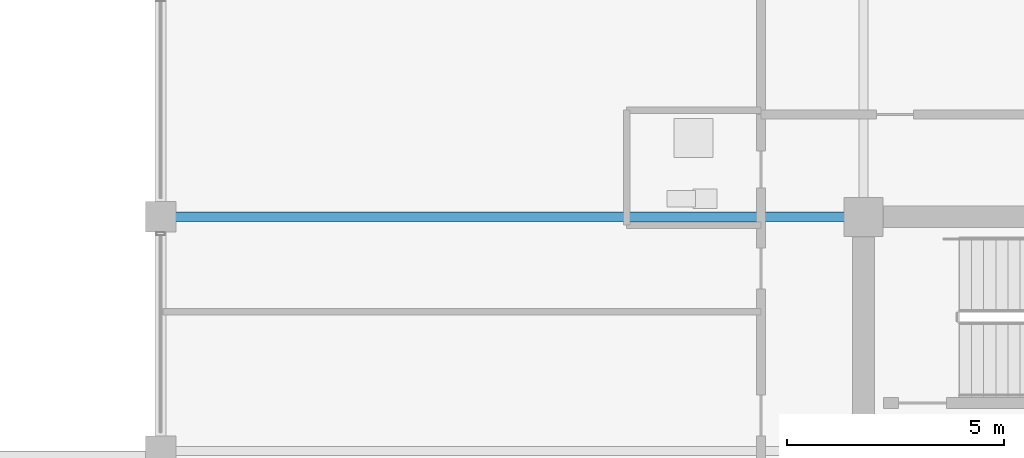
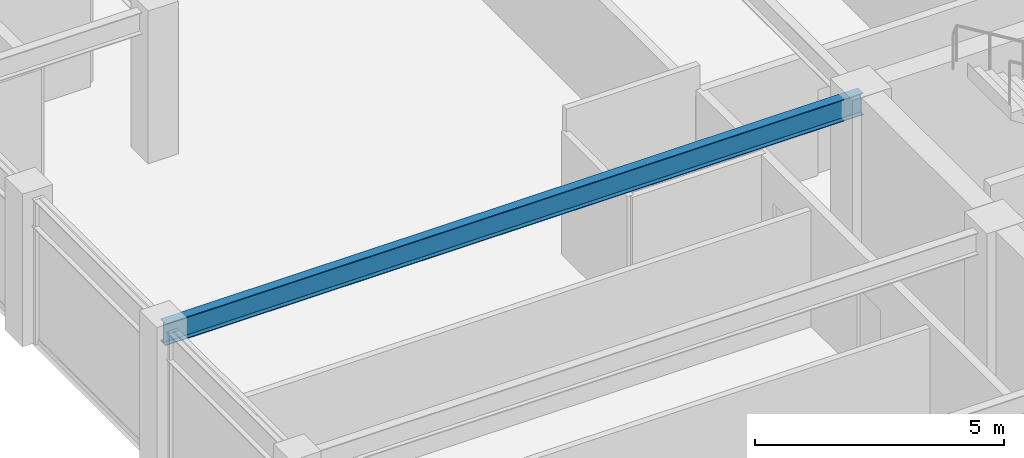
# One storey, part 13 of 29: 1 beam.
"""IFC4 building model written with IfcOpenShell, lengths in metres."""

from ifc_helpers import new_model, si_unit, direction, frame, origin, origin_2d, place, context, subcontext, project, spatial, i_section, extrude, material, material_profile, profile_set, type_object, element, save


model = new_model("IFC4")

# Units and contexts
model_context = context("Model", 3, precision=1e-05, world=origin(), true_north=direction((0.0, 1.0)))
body_context = subcontext(model_context, "Body", "Model", "MODEL_VIEW")
ifc_project = project(units=[si_unit("LENGTHUNIT", "METRE"), si_unit("AREAUNIT", "SQUARE_METRE"), si_unit("VOLUMEUNIT", "CUBIC_METRE"), si_unit("PLANEANGLEUNIT", "RADIAN"), si_unit("MASSUNIT", "GRAM", prefix="KILO")], contexts=[model_context])

# Site, building, storey
site_placement = place(None, origin())
site = spatial("IfcSite", under=ifc_project, at=site_placement, CompositionType="ELEMENT")
building_placement = place(site_placement, origin())
building = spatial("IfcBuilding", under=site, at=building_placement, Name="Surkhivell Harbour Commons", CompositionType="ELEMENT")
storey_placement = place(building_placement, frame((0.0, 0.0, 326.25)))
storey = spatial("IfcBuildingStorey", under=building, at=storey_placement, Name="L85", CompositionType="ELEMENT", Elevation=326.25)

# Beam
ifc_material = material(Name="Steel S355", Category="steel")
ifc_material_profile = material_profile(ifc_material, i_section(OverallWidth=0.2099609375, OverallDepth=0.537109375, WebThickness=0.0107421875, FlangeThickness=0.017333984375, at=origin_2d()), Name="UB533x210x101")
ifc_profile_set = profile_set([ifc_material_profile], Name="Steel S355")
beam_type = type_object("IfcBeamType", Name="BM-GRD-533B", PredefinedType="BEAM", material=ifc_profile_set)
beam_placement = place(storey_placement, frame((-27.0, 10.800048828125, 3.301513671875), z_axis=(1.0, 0.0, 0.0), x_axis=(0.0, 1.0, 0.0)))
element("IfcBeam", 1, at=beam_placement, inside=storey, type_object=beam_type, Name="L85 Floor Girder (-27.0,10.8)", PredefinedType="BEAM", context=body_context, shape_type="SweptSolid", body=[
    extrude(i_section(OverallWidth=0.2099609375, OverallDepth=0.537109375, WebThickness=0.0107421875, FlangeThickness=0.017333984375, at=origin_2d()), origin(), (0.0, 0.0, 1.0), 16.199951171875),
])

save(model, "model.ifc")
